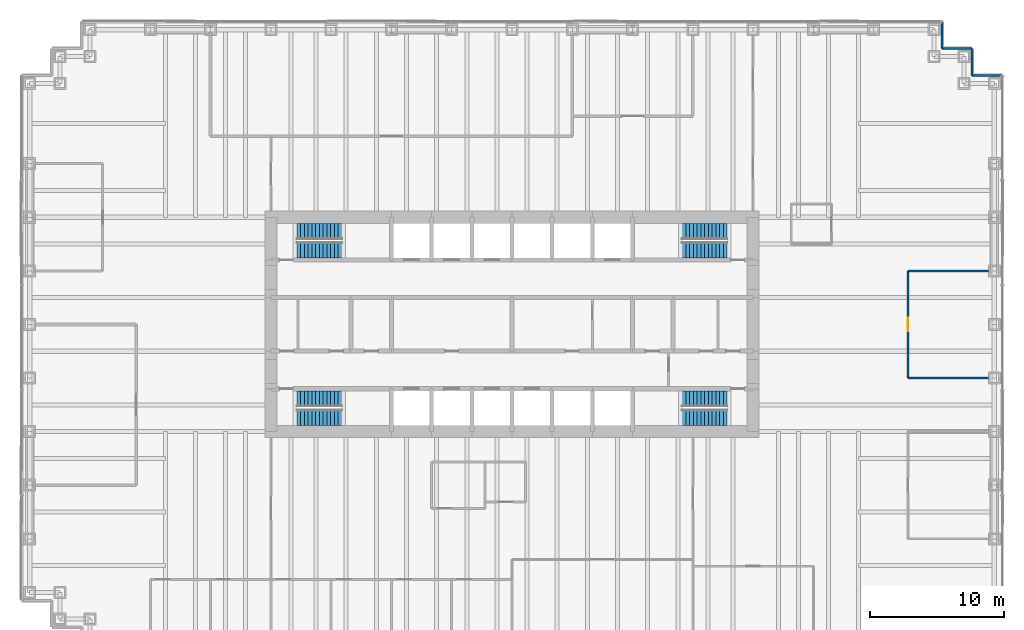
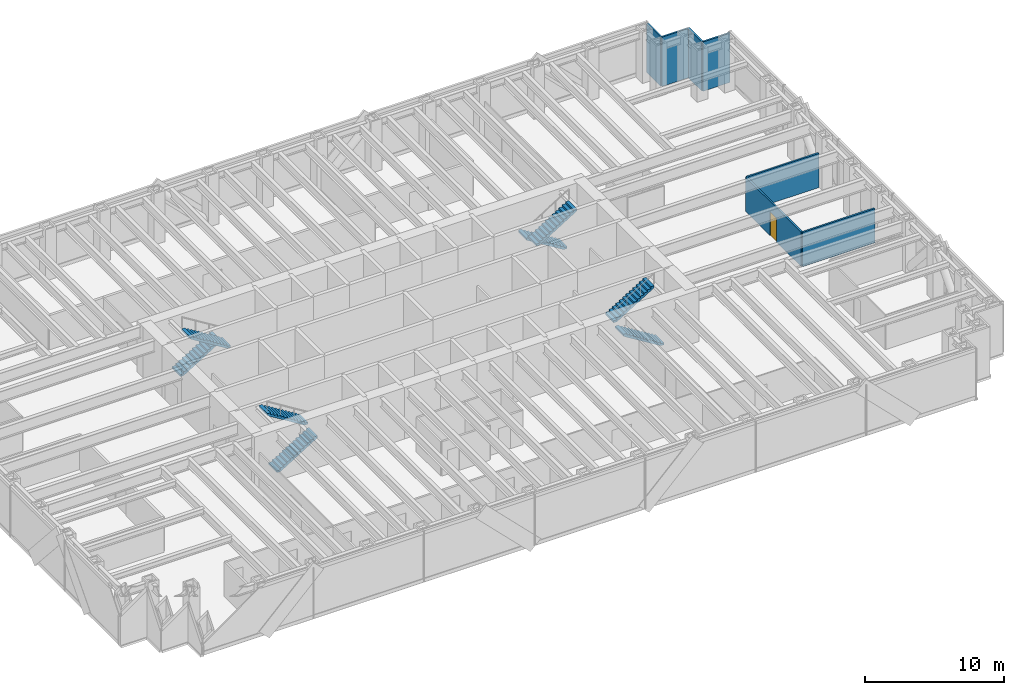
# One storey, part 12 of 13: 8 stair flights, 7 walls, 1 door, 1 opening, 4 elements without a shape of their own.
"""IFC4 building model written with IfcOpenShell, lengths in metres."""

import ifcopenshell
import ifcopenshell.guid

model = None  # the IFC model being written
_history = None  # IfcOwnerHistory: only IFC2X3 demands one
_inside = {}  # id of a spatial element -> (the spatial element, [elements in it])
_under = {}  # id of a project, library or spatial element -> (it, [spatial elements below it])
_declared = {}  # id of a project -> (the project, [libraries it declares])
_typed = {}  # id of a type object -> (the type object, [elements of that type])
_made_of = {}  # id of a material, layer set ... -> (it, [elements and type objects made of it])


def new_model(schema):
    """Start an empty IFC model of exactly this schema.

    Asked for "IFC4X3", IfcOpenShell would pick the latest addendum, in which some entities
    have other attributes; the version numbers below select the first issue.
    IFC2X3 requires an IfcOwnerHistory on every rooted entity: one is made here for all.
    """
    global model, _history
    if schema == "IFC4X3":
        model = ifcopenshell.file(schema_version=(4, 3, 0, 0))
    else:
        model = ifcopenshell.file(schema=schema)
    _inside.clear()
    _under.clear()
    _declared.clear()
    _typed.clear()
    _made_of.clear()
    _history = None
    if model.schema == "IFC2X3":
        org = make("IfcOrganization", Name="unknown")
        user = make(
            "IfcPersonAndOrganization",
            ThePerson=make("IfcPerson", FamilyName="unknown"),
            TheOrganization=org,
        )
        app = make(
            "IfcApplication",
            ApplicationDeveloper=org,
            Version="unknown",
            ApplicationFullName="unknown",
            ApplicationIdentifier="unknown",
        )
        _history = make(
            "IfcOwnerHistory",
            OwningUser=user,
            OwningApplication=app,
            ChangeAction="ADDED",
            CreationDate=0,
        )
    return model


def make(cls, **values):
    """One entity of the class cls with the attributes given. An attribute that is None is left unset."""
    return model.create_entity(
        cls, **{name: value for name, value in values.items() if value is not None}
    )


def rooted(cls, **values):
    """An entity with a GlobalId (a new one), such as an element, a storey or a relation."""
    return make(cls, GlobalId=ifcopenshell.guid.new(), OwnerHistory=_history, **values)


def si_unit(unit_type, name, prefix=None):
    """IfcSIUnit, for example si_unit("LENGTHUNIT", "METRE", prefix="MILLI")."""
    return make("IfcSIUnit", UnitType=unit_type, Prefix=prefix, Name=name)


def assignment(units):
    """IfcUnitAssignment: the units of a project."""
    return None if units is None else make("IfcUnitAssignment", Units=units)


def point(xyz):
    """IfcCartesianPoint."""
    return None if xyz is None else make("IfcCartesianPoint", Coordinates=xyz)


def direction(xyz):
    """IfcDirection."""
    return None if xyz is None else make("IfcDirection", DirectionRatios=xyz)


def frame(location, z_axis=None, x_axis=None):
    """IfcAxis2Placement3D, a coordinate frame: its origin and axes. An axis left out is left unset."""
    return make(
        "IfcAxis2Placement3D",
        Location=point(location),
        Axis=direction(z_axis),
        RefDirection=direction(x_axis),
    )


def frame_2d(location, x_axis=None):
    """IfcAxis2Placement2D, a coordinate frame in the plane: its origin and x axis."""
    return make(
        "IfcAxis2Placement2D", Location=point(location), RefDirection=direction(x_axis)
    )


def origin():
    """The frame at (0, 0, 0) with its axes left unset."""
    return frame((0.0, 0.0, 0.0))


def place(relative_to, where):
    """IfcLocalPlacement: puts the frame where relative to a parent placement (None: the world)."""
    return make(
        "IfcLocalPlacement", PlacementRelTo=relative_to, RelativePlacement=where
    )


def context(
    kind, dimensions, precision=None, world=None, true_north=None, identifier=None
):
    """IfcGeometricRepresentationContext, for example the 3D "Model" context."""
    return make(
        "IfcGeometricRepresentationContext",
        ContextIdentifier=identifier,
        ContextType=kind,
        CoordinateSpaceDimension=dimensions,
        Precision=precision,
        WorldCoordinateSystem=world,
        TrueNorth=true_north,
    )


def subcontext(parent, identifier, kind, view, scale=None):
    """IfcGeometricRepresentationSubContext, for example "Body" below "Model"."""
    return make(
        "IfcGeometricRepresentationSubContext",
        ContextIdentifier=identifier,
        ContextType=kind,
        ParentContext=parent,
        TargetScale=scale,
        TargetView=view,
    )


def project(units=None, contexts=None):
    """IfcProject with its units and contexts."""
    return rooted(
        "IfcProject",
        Name="project",
        RepresentationContexts=contexts,
        UnitsInContext=assignment(units),
    )


def spatial(cls, under=None, at=None, **own):
    """A site, building, storey or space (cls), placed at a placement, below another one or the project."""
    s = rooted(cls, ObjectPlacement=at, **own)
    if under is not None:
        _under.setdefault(under.id(), (under, []))[1].append(s)
    return s


def polyline(points):
    """IfcPolyline through the points."""
    return make("IfcPolyline", Points=[point(p) for p in points])


def profile(cls, at=None, kind="AREA", **sizes):
    """A parametric profile (cls). Its sizes go by their IFC names, for example OverallWidth=200.0."""
    return make(cls, ProfileType=kind, Position=at, **sizes)


def rectangle(**sizes):
    """IfcRectangleProfileDef."""
    return profile("IfcRectangleProfileDef", **sizes)


def outline(outer, holes=None, kind="AREA"):
    """IfcArbitraryClosedProfileDef: a profile drawn as a closed curve; with holes, ...WithVoids."""
    if holes is None:
        return make("IfcArbitraryClosedProfileDef", ProfileType=kind, OuterCurve=outer)
    return make(
        "IfcArbitraryProfileDefWithVoids",
        ProfileType=kind,
        OuterCurve=outer,
        InnerCurves=holes,
    )


def extrude(swept, where, along, depth):
    """IfcExtrudedAreaSolid: the profile swept, set in the frame where, extruded along a direction by depth."""
    return make(
        "IfcExtrudedAreaSolid",
        SweptArea=swept,
        Position=where,
        ExtrudedDirection=direction(along),
        Depth=depth,
    )


def shape(context_of_items, identifier, shape_type, items):
    """IfcShapeRepresentation: the items that make up one representation, for example the "Body"."""
    return make(
        "IfcShapeRepresentation",
        ContextOfItems=context_of_items,
        RepresentationIdentifier=identifier,
        RepresentationType=shape_type,
        Items=items,
    )


def material(Name=None, Category=None):
    """IfcMaterial."""
    return make("IfcMaterial", Name=Name, Category=Category)


def layer(
    of_material, thickness, ventilated=None, Name=None, Category=None, Priority=None
):
    """IfcMaterialLayer: one layer of a wall or slab, of a material (None: an air gap)."""
    return make(
        "IfcMaterialLayer",
        Material=of_material,
        LayerThickness=thickness,
        IsVentilated=ventilated,
        Name=Name,
        Category=Category,
        Priority=Priority,
    )


def layer_set(layers, Name=None):
    """IfcMaterialLayerSet."""
    return make("IfcMaterialLayerSet", MaterialLayers=layers, LayerSetName=Name)


def made_of(thing, what):
    """Note that an element or type object is made of a material, layer set ...; save() writes the relation."""
    if what is not None:
        _made_of.setdefault(what.id(), (what, []))[1].append(thing)
    return thing


def type_object(cls, material=None, **own):
    """A type object (cls), such as IfcWallType, which elements share."""
    return made_of(rooted(cls, **own), material)


def element(
    cls,
    number,
    at=None,
    inside=None,
    cuts=None,
    type_object=None,
    material=None,
    context=None,
    identifier="Body",
    shape_type=None,
    held_by="IfcProductDefinitionShape",
    body=None,
    shapes=None,
    **own,
):
    """One element of the class cls, such as IfcWall. Its Tag is "e" and its number.

    at: its placement. inside: the storey or other place that contains it. cuts: it is an
    opening in that element (IfcRelVoidsElement). A single representation is given by context,
    identifier, shape_type and body (its items); several are given by shapes. held_by: the class
    of the entity that holds the representations. save() writes the other relations.
    """
    e = rooted(cls, Tag="e%d" % number, ObjectPlacement=at, **own)
    if body is not None:
        shapes = [shape(context, identifier, shape_type, body)]
    if shapes is not None:
        e.Representation = make(held_by, Representations=shapes)
    if inside is not None:
        _inside.setdefault(inside.id(), (inside, []))[1].append(e)
    if cuts is not None:
        rooted(
            "IfcRelVoidsElement", RelatingBuildingElement=cuts, RelatedOpeningElement=e
        )
    if type_object is not None:
        _typed.setdefault(type_object.id(), (type_object, []))[1].append(e)
    return made_of(e, material)


def fill(opening, filler):
    """IfcRelFillsElement: the door or window that sits in an opening."""
    return rooted(
        "IfcRelFillsElement",
        RelatingOpeningElement=opening,
        RelatedBuildingElement=filler,
    )


def aggregate(whole, parts):
    """IfcRelAggregates: a whole, such as a stair, and the parts it consists of."""
    return rooted("IfcRelAggregates", RelatingObject=whole, RelatedObjects=parts)


def save(model, path):
    """Write the relations noted so far, then the file.

    IfcRelAggregates (storeys below a building ...), IfcRelContainedInSpatialStructure (elements
    in a storey), IfcRelDefinesByType, IfcRelAssociatesMaterial and IfcRelDeclares: one each for
    every whole, place, type object, material and project.
    """
    for whole, parts in _under.values():
        aggregate(whole, parts)
    for where, things in _inside.values():
        rooted(
            "IfcRelContainedInSpatialStructure",
            RelatedElements=things,
            RelatingStructure=where,
        )
    for kind, things in _typed.values():
        rooted("IfcRelDefinesByType", RelatedObjects=things, RelatingType=kind)
    for what, things in _made_of.values():
        rooted("IfcRelAssociatesMaterial", RelatedObjects=things, RelatingMaterial=what)
    for by, libraries in _declared.values():
        rooted("IfcRelDeclares", RelatingContext=by, RelatedDefinitions=libraries)
    model.write(path)


model = new_model("IFC4")

# Units and contexts
model_context = context("Model", 3, precision=1e-05, world=origin(), true_north=direction((0.0, 1.0)))
body_context = subcontext(model_context, "Body", "Model", "MODEL_VIEW")
ifc_project = project(units=[si_unit("LENGTHUNIT", "METRE"), si_unit("AREAUNIT", "SQUARE_METRE"), si_unit("VOLUMEUNIT", "CUBIC_METRE"), si_unit("PLANEANGLEUNIT", "RADIAN"), si_unit("MASSUNIT", "GRAM", prefix="KILO")], contexts=[model_context])

# Site, building, storey
site_placement = place(None, origin())
site = spatial("IfcSite", under=ifc_project, at=site_placement, CompositionType="ELEMENT")
building_placement = place(site_placement, origin())
building = spatial("IfcBuilding", under=site, at=building_placement, Name="Rheinbord Bourse Tower", CompositionType="ELEMENT")
storey_placement = place(building_placement, frame((0.0, 0.0, 68.0)))
storey = spatial("IfcBuildingStorey", under=building, at=storey_placement, Name="L14", CompositionType="ELEMENT", Elevation=68.0)

# Walls
ifc_material_1 = material(Name="Black metal rainscreen panel", Category="aluminium")
ifc_layer_1 = layer(ifc_material_1, 0.14990234375)
ifc_layer_set_1 = layer_set([ifc_layer_1], Name="CORNER PIER CLADDING 150")
wall_type_1 = type_object("IfcWallType", Name="CORNER PIER CLADDING 150", PredefinedType="ELEMENTEDWALL", material=ifc_layer_set_1)
wall_1_placement = place(storey_placement, frame((72.60009765625, 42.60009765625, 0.0), z_axis=(0.0, 0.0, 1.0), x_axis=(-1.0, 0.0, 0.0)))
element("IfcWall", 1, at=wall_1_placement, inside=storey, type_object=wall_type_1, Name="Corner pier cladding L14 7", PredefinedType="ELEMENTEDWALL", context=body_context, shape_type="SweptSolid", body=[
    extrude(rectangle(XDim=2.25, YDim=0.14990234375, at=frame_2d((1.125, 0.0))), origin(), (0.0, 0.0, 1.0), 4.320068359375),
])
wall_2_placement = place(storey_placement, frame((70.35009765625, 42.60009765625, 0.0), z_axis=(0.0, 0.0, 1.0), x_axis=(0.0, 1.0, 0.0)))
element("IfcWall", 2, at=wall_2_placement, inside=storey, type_object=wall_type_1, Name="Corner pier cladding L14 8", PredefinedType="ELEMENTEDWALL", context=body_context, shape_type="SweptSolid", body=[
    extrude(rectangle(XDim=2.0, YDim=0.14990234375, at=frame_2d((1.0, 0.0))), origin(), (0.0, 0.0, 1.0), 4.320068359375),
])
wall_3_placement = place(storey_placement, frame((70.35009765625, 44.60009765625, 0.0), z_axis=(0.0, 0.0, 1.0), x_axis=(-1.0, 0.0, 0.0)))
element("IfcWall", 3, at=wall_3_placement, inside=storey, type_object=wall_type_1, Name="Corner pier cladding L14 9", PredefinedType="ELEMENTEDWALL", context=body_context, shape_type="SweptSolid", body=[
    extrude(rectangle(XDim=2.25, YDim=0.14990234375, at=frame_2d((1.125, 0.0))), origin(), (0.0, 0.0, 1.0), 4.320068359375),
])
wall_4_placement = place(storey_placement, frame((68.10009765625, 44.60009765625, 0.0), z_axis=(0.0, 0.0, 1.0), x_axis=(0.0, 1.0, 0.0)))
element("IfcWall", 4, at=wall_4_placement, inside=storey, type_object=wall_type_1, Name="Corner pier cladding L14 10", PredefinedType="ELEMENTEDWALL", context=body_context, shape_type="SweptSolid", body=[
    extrude(rectangle(XDim=2.0, YDim=0.14990234375, at=frame_2d((1.0, 0.0))), origin(), (0.0, 0.0, 1.0), 4.320068359375),
])
ifc_material_2 = material(Name="Gypsum board partition", Category="gypsum board")
ifc_layer_2 = layer(ifc_material_2, 0.14990234375)
ifc_layer_set_2 = layer_set([ifc_layer_2], Name="PARTITION 150")
wall_type_2 = type_object("IfcWallType", Name="PARTITION 150", PredefinedType="PARTITIONING", material=ifc_layer_set_2)
for number, where, z_axis, x_axis, name in (
    (5, (65.550048828125, 20.0, 0.0), (0.0, 0.0, 1.0), (1.0, 0.0, 0.0), "Partition L14-11"),
    (6, (65.550048828125, 28.0, 0.0), (0.0, 0.0, 1.0), (1.0, 0.0, 0.0), "Partition L14-14"),
):
    element("IfcWall", number, at=place(storey_placement, frame(where, z_axis=z_axis, x_axis=x_axis)), inside=storey, type_object=wall_type_2, Name=name, PredefinedType="PARTITIONING", context=body_context, shape_type="SweptSolid", body=[
        extrude(rectangle(XDim=6.0, YDim=0.14990234375, at=frame_2d((3.0, 0.0))), origin(), (0.0, 0.0, 1.0), 3.0),
    ])

# Wall, opening, door
wall_5_placement = place(storey_placement, frame((65.550048828125, 20.0, 0.0), z_axis=(0.0, 0.0, 1.0), x_axis=(0.0, 1.0, 0.0)))
wall_5 = element("IfcWall", 7, at=wall_5_placement, inside=storey, type_object=wall_type_2, Name="Partition L14-44", PredefinedType="PARTITIONING", context=body_context, shape_type="SweptSolid", body=[
    extrude(rectangle(XDim=8.0, YDim=0.14990234375, at=frame_2d((4.0, 0.0))), origin(), (0.0, 0.0, 1.0), 3.0),
])
opening_placement = place(wall_5_placement, frame((3.5, 0.0, 0.0)))
opening = element("IfcOpeningElement", 8, at=opening_placement, cuts=wall_5, Name="Opening 14D13", PredefinedType="OPENING", context=body_context, shape_type="SweptSolid", body=[
    extrude(rectangle(XDim=1.0, YDim=2.10009765625, at=frame_2d((0.5, 1.050048828125))), frame((0.0, 0.0849609375, 0.0), z_axis=(0.0, -1.0, 0.0), x_axis=(1.0, 0.0, 0.0)), (0.0, 0.0, 1.0), 0.169921875),
])
ifc_material_3 = material(Name="Timber door", Category="wood")
door_type = type_object("IfcDoorType", Name="ROOM DOOR 1000", OperationType="SINGLE_SWING_LEFT", PredefinedType="DOOR", material=ifc_material_3)
door_placement = place(opening_placement, origin())
door = element("IfcDoor", 9, at=door_placement, inside=storey, type_object=door_type, Name="Pantry door L14", OperationType="SINGLE_SWING_LEFT", OverallHeight=2.10009765625, OverallWidth=1.0, PredefinedType="DOOR", context=body_context, shape_type="SweptSolid", body=[
    extrude(rectangle(XDim=1.0, YDim=2.10009765625, at=frame_2d((0.5, 1.050048828125))), frame((0.0, 0.02490234375, 0.0), z_axis=(0.0, -1.0, 0.0), x_axis=(1.0, 0.0, 0.0)), (0.0, 0.0, 1.0), 0.050048828125),
])
fill(opening, door)

# Stair, stair flights
ifc_material_4 = material(Name="Concrete C30/37", Category="concrete")
stair_type = type_object("IfcStairType", Name="CORE STAIR HALF TURN 4500", PredefinedType="HALF_TURN_STAIR", material=ifc_material_4)
stair_1_placement = place(storey_placement, origin())
stair_1 = element("IfcStair", 10, at=stair_1_placement, inside=storey, type_object=stair_type, Name="Stair ST1 L14, type CS4", PredefinedType="HALF_TURN_STAIR")
ifc_material_5 = material(Name="Concrete C30/37", Category="concrete")
stair_flight_type = type_object("IfcStairFlightType", Name="CORE STAIR FLIGHT 1200, 13 RISERS", PredefinedType="STRAIGHT", material=ifc_material_5)
stair_flight_1_placement = place(storey_placement, frame((19.949951171875, 17.050048828125, 0.0), z_axis=(0.0, 0.0, 1.0), x_axis=(1.0, 0.0, 0.0)))
stair_flight_1 = element("IfcStairFlight", 11, at=stair_flight_1_placement, type_object=stair_flight_type, Name="STAIR L14 ST1 F1", NumberOfRisers=13, NumberOfTreads=12, PredefinedType="STRAIGHT", RiserHeight=0.173076923, TreadLength=0.28, context=body_context, shape_type="SweptSolid", body=[
    extrude(outline(polyline([(0.0, 0.0), (0.0, 0.173095703125), (0.280029296875, 0.173095703125), (0.280029296875, 0.34619140625), (0.56005859375, 0.34619140625), (0.56005859375, 0.519287109375), (0.840087890625, 0.519287109375), (0.840087890625, 0.6923828125), (1.1201171875, 0.6923828125), (1.1201171875, 0.865478515625), (1.39990234375, 0.865478515625), (1.39990234375, 1.03857421875), (1.679931640625, 1.03857421875), (1.679931640625, 1.21142578125), (1.9599609375, 1.21142578125), (1.9599609375, 1.384521484375), (2.239990234375, 1.384521484375), (2.239990234375, 1.5576171875), (2.52001953125, 1.5576171875), (2.52001953125, 1.730712890625), (2.800048828125, 1.730712890625), (2.800048828125, 1.90380859375), (3.080078125, 1.90380859375), (3.080078125, 2.076904296875), (3.360107421875, 2.076904296875), (3.360107421875, 2.25), (3.360107421875, 1.900634765625), (0.28515625, 0.0), (0.0, 0.0)])), frame((0.0, 0.60009765625, 0.0), z_axis=(0.0, -1.0, 0.0), x_axis=(1.0, 0.0, 0.0)), (0.0, 0.0, 1.0), 1.199951171875),
])
stair_flight_2_placement = place(storey_placement, frame((23.31005859375, 18.449951171875, 2.25), z_axis=(0.0, 0.0, 1.0), x_axis=(-1.0, 0.0, 0.0)))
stair_flight_2 = element("IfcStairFlight", 12, at=stair_flight_2_placement, type_object=stair_flight_type, Name="STAIR L14 ST1 F2", NumberOfRisers=13, NumberOfTreads=12, PredefinedType="STRAIGHT", RiserHeight=0.173076923, TreadLength=0.28, context=body_context, shape_type="SweptSolid", body=[
    extrude(outline(polyline([(0.0, 0.0), (0.0, 0.173095703125), (0.280029296875, 0.173095703125), (0.280029296875, 0.34619140625), (0.56005859375, 0.34619140625), (0.56005859375, 0.519287109375), (0.840087890625, 0.519287109375), (0.840087890625, 0.6923828125), (1.1201171875, 0.6923828125), (1.1201171875, 0.865478515625), (1.39990234375, 0.865478515625), (1.39990234375, 1.03857421875), (1.679931640625, 1.03857421875), (1.679931640625, 1.21142578125), (1.9599609375, 1.21142578125), (1.9599609375, 1.384521484375), (2.239990234375, 1.384521484375), (2.239990234375, 1.5576171875), (2.52001953125, 1.5576171875), (2.52001953125, 1.730712890625), (2.800048828125, 1.730712890625), (2.800048828125, 1.90380859375), (3.080078125, 1.90380859375), (3.080078125, 2.076904296875), (3.360107421875, 2.076904296875), (3.360107421875, 2.25), (3.360107421875, 1.900634765625), (0.28515625, 0.0), (0.0, 0.0)])), frame((0.0, 0.60009765625, 0.0), z_axis=(0.0, -1.0, 0.0), x_axis=(1.0, 0.0, 0.0)), (0.0, 0.0, 1.0), 1.199951171875),
])
aggregate(stair_1, [stair_flight_1, stair_flight_2])

stair_2_placement = place(storey_placement, origin())
stair_2 = element("IfcStair", 13, at=stair_2_placement, inside=storey, type_object=stair_type, Name="Stair ST2 L14, type CS4", PredefinedType="HALF_TURN_STAIR")
stair_flight_3_placement = place(storey_placement, frame((19.949951171875, 30.949951171875, 0.0), z_axis=(0.0, 0.0, 1.0), x_axis=(1.0, 0.0, 0.0)))
stair_flight_3 = element("IfcStairFlight", 14, at=stair_flight_3_placement, type_object=stair_flight_type, Name="STAIR L14 ST2 F1", NumberOfRisers=13, NumberOfTreads=12, PredefinedType="STRAIGHT", RiserHeight=0.173076923, TreadLength=0.28, context=body_context, shape_type="SweptSolid", body=[
    extrude(outline(polyline([(0.0, 0.0), (0.0, 0.173095703125), (0.280029296875, 0.173095703125), (0.280029296875, 0.34619140625), (0.56005859375, 0.34619140625), (0.56005859375, 0.519287109375), (0.840087890625, 0.519287109375), (0.840087890625, 0.6923828125), (1.1201171875, 0.6923828125), (1.1201171875, 0.865478515625), (1.39990234375, 0.865478515625), (1.39990234375, 1.03857421875), (1.679931640625, 1.03857421875), (1.679931640625, 1.21142578125), (1.9599609375, 1.21142578125), (1.9599609375, 1.384521484375), (2.239990234375, 1.384521484375), (2.239990234375, 1.5576171875), (2.52001953125, 1.5576171875), (2.52001953125, 1.730712890625), (2.800048828125, 1.730712890625), (2.800048828125, 1.90380859375), (3.080078125, 1.90380859375), (3.080078125, 2.076904296875), (3.360107421875, 2.076904296875), (3.360107421875, 2.25), (3.360107421875, 1.900634765625), (0.28515625, 0.0), (0.0, 0.0)])), frame((0.0, 0.60009765625, 0.0), z_axis=(0.0, -1.0, 0.0), x_axis=(1.0, 0.0, 0.0)), (0.0, 0.0, 1.0), 1.199951171875),
])
stair_flight_4_placement = place(storey_placement, frame((23.31005859375, 29.550048828125, 2.25), z_axis=(0.0, 0.0, 1.0), x_axis=(-1.0, 0.0, 0.0)))
stair_flight_4 = element("IfcStairFlight", 15, at=stair_flight_4_placement, type_object=stair_flight_type, Name="STAIR L14 ST2 F2", NumberOfRisers=13, NumberOfTreads=12, PredefinedType="STRAIGHT", RiserHeight=0.173076923, TreadLength=0.28, context=body_context, shape_type="SweptSolid", body=[
    extrude(outline(polyline([(0.0, 0.0), (0.0, 0.173095703125), (0.280029296875, 0.173095703125), (0.280029296875, 0.34619140625), (0.56005859375, 0.34619140625), (0.56005859375, 0.519287109375), (0.840087890625, 0.519287109375), (0.840087890625, 0.6923828125), (1.1201171875, 0.6923828125), (1.1201171875, 0.865478515625), (1.39990234375, 0.865478515625), (1.39990234375, 1.03857421875), (1.679931640625, 1.03857421875), (1.679931640625, 1.21142578125), (1.9599609375, 1.21142578125), (1.9599609375, 1.384521484375), (2.239990234375, 1.384521484375), (2.239990234375, 1.5576171875), (2.52001953125, 1.5576171875), (2.52001953125, 1.730712890625), (2.800048828125, 1.730712890625), (2.800048828125, 1.90380859375), (3.080078125, 1.90380859375), (3.080078125, 2.076904296875), (3.360107421875, 2.076904296875), (3.360107421875, 2.25), (3.360107421875, 1.900634765625), (0.28515625, 0.0), (0.0, 0.0)])), frame((0.0, 0.60009765625, 0.0), z_axis=(0.0, -1.0, 0.0), x_axis=(1.0, 0.0, 0.0)), (0.0, 0.0, 1.0), 1.199951171875),
])
aggregate(stair_2, [stair_flight_3, stair_flight_4])

stair_3_placement = place(storey_placement, origin())
stair_3 = element("IfcStair", 16, at=stair_3_placement, inside=storey, type_object=stair_type, Name="Stair ST3 L14, type CS4", PredefinedType="HALF_TURN_STAIR")
stair_flight_5_placement = place(storey_placement, frame((52.050048828125, 17.050048828125, 0.0), z_axis=(0.0, 0.0, 1.0), x_axis=(-1.0, 0.0, 0.0)))
stair_flight_5 = element("IfcStairFlight", 17, at=stair_flight_5_placement, type_object=stair_flight_type, Name="STAIR L14 ST3 F1", NumberOfRisers=13, NumberOfTreads=12, PredefinedType="STRAIGHT", RiserHeight=0.173076923, TreadLength=0.28, context=body_context, shape_type="SweptSolid", body=[
    extrude(outline(polyline([(0.0, 0.0), (0.0, 0.173095703125), (0.280029296875, 0.173095703125), (0.280029296875, 0.34619140625), (0.56005859375, 0.34619140625), (0.56005859375, 0.519287109375), (0.840087890625, 0.519287109375), (0.840087890625, 0.6923828125), (1.1201171875, 0.6923828125), (1.1201171875, 0.865478515625), (1.39990234375, 0.865478515625), (1.39990234375, 1.03857421875), (1.679931640625, 1.03857421875), (1.679931640625, 1.21142578125), (1.9599609375, 1.21142578125), (1.9599609375, 1.384521484375), (2.239990234375, 1.384521484375), (2.239990234375, 1.5576171875), (2.52001953125, 1.5576171875), (2.52001953125, 1.730712890625), (2.800048828125, 1.730712890625), (2.800048828125, 1.90380859375), (3.080078125, 1.90380859375), (3.080078125, 2.076904296875), (3.360107421875, 2.076904296875), (3.360107421875, 2.25), (3.360107421875, 1.900634765625), (0.28515625, 0.0), (0.0, 0.0)])), frame((0.0, 0.60009765625, 0.0), z_axis=(0.0, -1.0, 0.0), x_axis=(1.0, 0.0, 0.0)), (0.0, 0.0, 1.0), 1.199951171875),
])
stair_flight_6_placement = place(storey_placement, frame((48.68994140625, 18.449951171875, 2.25), z_axis=(0.0, 0.0, 1.0), x_axis=(1.0, 0.0, 0.0)))
stair_flight_6 = element("IfcStairFlight", 18, at=stair_flight_6_placement, type_object=stair_flight_type, Name="STAIR L14 ST3 F2", NumberOfRisers=13, NumberOfTreads=12, PredefinedType="STRAIGHT", RiserHeight=0.173076923, TreadLength=0.28, context=body_context, shape_type="SweptSolid", body=[
    extrude(outline(polyline([(0.0, 0.0), (0.0, 0.173095703125), (0.280029296875, 0.173095703125), (0.280029296875, 0.34619140625), (0.56005859375, 0.34619140625), (0.56005859375, 0.519287109375), (0.840087890625, 0.519287109375), (0.840087890625, 0.6923828125), (1.1201171875, 0.6923828125), (1.1201171875, 0.865478515625), (1.39990234375, 0.865478515625), (1.39990234375, 1.03857421875), (1.679931640625, 1.03857421875), (1.679931640625, 1.21142578125), (1.9599609375, 1.21142578125), (1.9599609375, 1.384521484375), (2.239990234375, 1.384521484375), (2.239990234375, 1.5576171875), (2.52001953125, 1.5576171875), (2.52001953125, 1.730712890625), (2.800048828125, 1.730712890625), (2.800048828125, 1.90380859375), (3.080078125, 1.90380859375), (3.080078125, 2.076904296875), (3.360107421875, 2.076904296875), (3.360107421875, 2.25), (3.360107421875, 1.900634765625), (0.28515625, 0.0), (0.0, 0.0)])), frame((0.0, 0.60009765625, 0.0), z_axis=(0.0, -1.0, 0.0), x_axis=(1.0, 0.0, 0.0)), (0.0, 0.0, 1.0), 1.199951171875),
])
aggregate(stair_3, [stair_flight_5, stair_flight_6])

stair_4_placement = place(storey_placement, origin())
stair_4 = element("IfcStair", 19, at=stair_4_placement, inside=storey, type_object=stair_type, Name="Stair ST4 L14, type CS4", PredefinedType="HALF_TURN_STAIR")
stair_flight_7_placement = place(storey_placement, frame((52.050048828125, 30.949951171875, 0.0), z_axis=(0.0, 0.0, 1.0), x_axis=(-1.0, 0.0, 0.0)))
stair_flight_7 = element("IfcStairFlight", 20, at=stair_flight_7_placement, type_object=stair_flight_type, Name="STAIR L14 ST4 F1", NumberOfRisers=13, NumberOfTreads=12, PredefinedType="STRAIGHT", RiserHeight=0.173076923, TreadLength=0.28, context=body_context, shape_type="SweptSolid", body=[
    extrude(outline(polyline([(0.0, 0.0), (0.0, 0.173095703125), (0.280029296875, 0.173095703125), (0.280029296875, 0.34619140625), (0.56005859375, 0.34619140625), (0.56005859375, 0.519287109375), (0.840087890625, 0.519287109375), (0.840087890625, 0.6923828125), (1.1201171875, 0.6923828125), (1.1201171875, 0.865478515625), (1.39990234375, 0.865478515625), (1.39990234375, 1.03857421875), (1.679931640625, 1.03857421875), (1.679931640625, 1.21142578125), (1.9599609375, 1.21142578125), (1.9599609375, 1.384521484375), (2.239990234375, 1.384521484375), (2.239990234375, 1.5576171875), (2.52001953125, 1.5576171875), (2.52001953125, 1.730712890625), (2.800048828125, 1.730712890625), (2.800048828125, 1.90380859375), (3.080078125, 1.90380859375), (3.080078125, 2.076904296875), (3.360107421875, 2.076904296875), (3.360107421875, 2.25), (3.360107421875, 1.900634765625), (0.28515625, 0.0), (0.0, 0.0)])), frame((0.0, 0.60009765625, 0.0), z_axis=(0.0, -1.0, 0.0), x_axis=(1.0, 0.0, 0.0)), (0.0, 0.0, 1.0), 1.199951171875),
])
stair_flight_8_placement = place(storey_placement, frame((48.68994140625, 29.550048828125, 2.25), z_axis=(0.0, 0.0, 1.0), x_axis=(1.0, 0.0, 0.0)))
stair_flight_8 = element("IfcStairFlight", 21, at=stair_flight_8_placement, type_object=stair_flight_type, Name="STAIR L14 ST4 F2", NumberOfRisers=13, NumberOfTreads=12, PredefinedType="STRAIGHT", RiserHeight=0.173076923, TreadLength=0.28, context=body_context, shape_type="SweptSolid", body=[
    extrude(outline(polyline([(0.0, 0.0), (0.0, 0.173095703125), (0.280029296875, 0.173095703125), (0.280029296875, 0.34619140625), (0.56005859375, 0.34619140625), (0.56005859375, 0.519287109375), (0.840087890625, 0.519287109375), (0.840087890625, 0.6923828125), (1.1201171875, 0.6923828125), (1.1201171875, 0.865478515625), (1.39990234375, 0.865478515625), (1.39990234375, 1.03857421875), (1.679931640625, 1.03857421875), (1.679931640625, 1.21142578125), (1.9599609375, 1.21142578125), (1.9599609375, 1.384521484375), (2.239990234375, 1.384521484375), (2.239990234375, 1.5576171875), (2.52001953125, 1.5576171875), (2.52001953125, 1.730712890625), (2.800048828125, 1.730712890625), (2.800048828125, 1.90380859375), (3.080078125, 1.90380859375), (3.080078125, 2.076904296875), (3.360107421875, 2.076904296875), (3.360107421875, 2.25), (3.360107421875, 1.900634765625), (0.28515625, 0.0), (0.0, 0.0)])), frame((0.0, 0.60009765625, 0.0), z_axis=(0.0, -1.0, 0.0), x_axis=(1.0, 0.0, 0.0)), (0.0, 0.0, 1.0), 1.199951171875),
])
aggregate(stair_4, [stair_flight_7, stair_flight_8])

save(model, "model.ifc")
